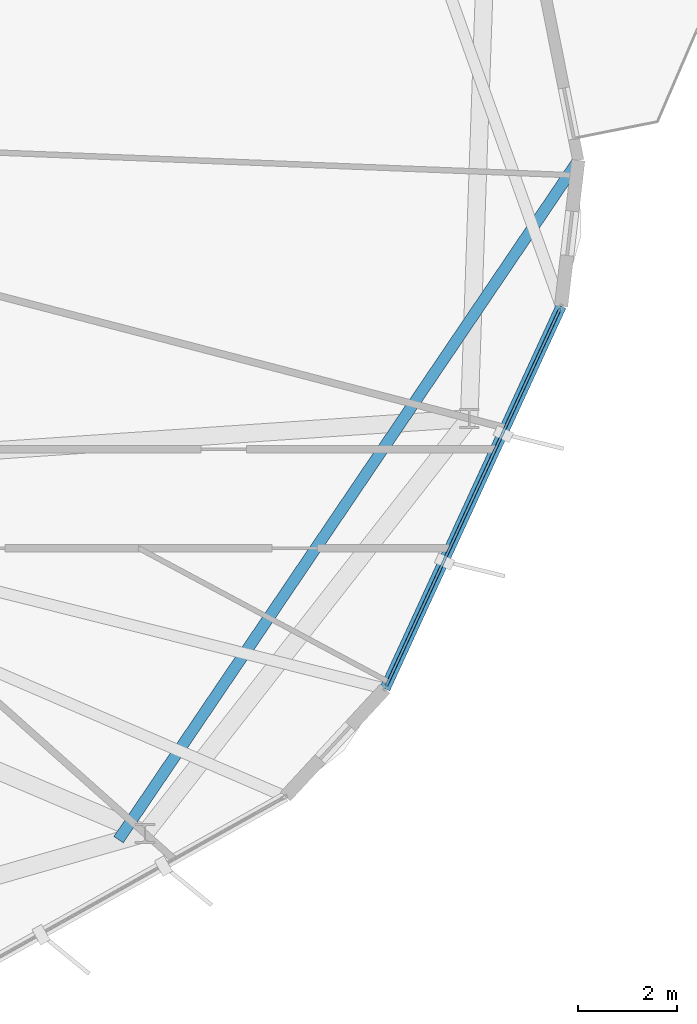
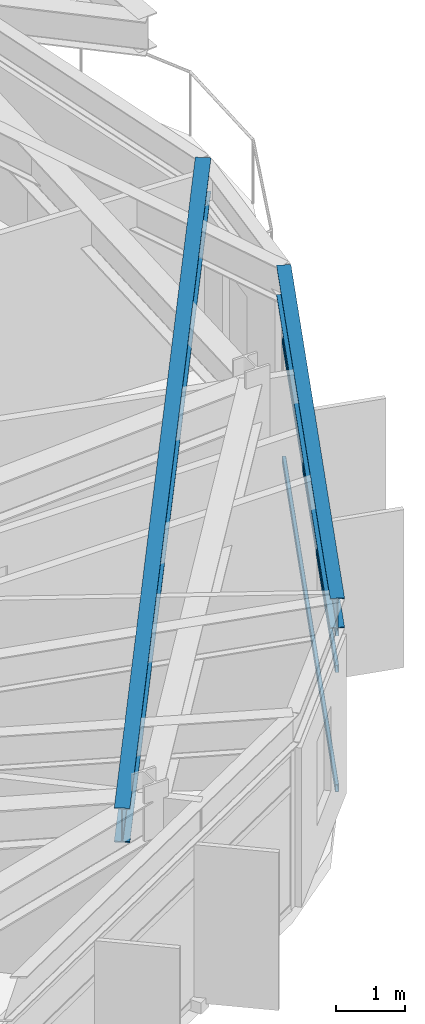
# One storey, part 10 of 25: 3 members, 2 beams, 1 element without a shape of its own.
"""IFC4 building model written with IfcOpenShell, lengths in metres."""

from ifc_helpers import new_model, si_unit, direction, frame, origin, origin_2d, place, context, subcontext, project, spatial, hollow_rectangle, i_section, extrude, material, layer, layer_set, material_profile, profile_set, type_object, element, aggregate, save


model = new_model("IFC4")

# Units and contexts
model_context = context("Model", 3, precision=1e-05, world=origin(), true_north=direction((0.0, 1.0)))
body_context = subcontext(model_context, "Body", "Model", "MODEL_VIEW")
ifc_project = project(units=[si_unit("LENGTHUNIT", "METRE"), si_unit("AREAUNIT", "SQUARE_METRE"), si_unit("VOLUMEUNIT", "CUBIC_METRE"), si_unit("PLANEANGLEUNIT", "RADIAN"), si_unit("MASSUNIT", "GRAM", prefix="KILO")], contexts=[model_context])

# Site, building, storey
site_placement = place(None, origin())
site = spatial("IfcSite", under=ifc_project, at=site_placement, CompositionType="ELEMENT")
building_placement = place(site_placement, origin())
building = spatial("IfcBuilding", under=site, at=building_placement, Name="Soratama Intermodal Tower", CompositionType="ELEMENT")
storey_placement = place(building_placement, frame((0.0, 0.0, 272.5)))
storey = spatial("IfcBuildingStorey", under=building, at=storey_placement, Name="L69", CompositionType="ELEMENT", Elevation=272.5)

# Beams
ifc_material_1 = material(Name="Structural steel ASTM A992 Grade 50", Category="steel")
ifc_material_profile_1 = material_profile(ifc_material_1, i_section(OverallWidth=0.2099609375, OverallDepth=0.537109375, WebThickness=0.010986328125, FlangeThickness=0.017333984375, FilletRadius=0.012939453125, at=origin_2d()), Name="W21X68")
ifc_profile_set_1 = profile_set([ifc_material_profile_1], Name="Structural steel ASTM A992 Grade 50")
beam_type_1 = type_object("IfcBeamType", Name="BM-SPN-W21X68", PredefinedType="SPANDREL", material=ifc_profile_set_1)
beam_1_placement = place(storey_placement, frame((59.464111328125, 13.662109375, 3.181396484375), z_axis=(0.418225614689, 0.908343181412, 0.0), x_axis=(-0.908343181412, 0.418225614689, 0.0)))
element("IfcBeam", 1, at=beam_1_placement, inside=storey, type_object=beam_type_1, Name="BS-L69-F08", PredefinedType="SPANDREL", context=body_context, shape_type="SweptSolid", body=[
    extrude(i_section(OverallWidth=0.2099609375, OverallDepth=0.537109375, WebThickness=0.010986328125, FlangeThickness=0.017333984375, FilletRadius=0.012939453125, at=origin_2d()), origin(), (0.0, 0.0, 1.0), 8.5),
])
ifc_material_2 = material(Name="Structural steel ASTM A992 Grade 50", Category="steel")
ifc_material_profile_2 = material_profile(ifc_material_2, i_section(OverallWidth=0.22900390625, OverallDepth=0.612060546875, WebThickness=0.011962890625, FlangeThickness=0.01953125, FilletRadius=0.012939453125, at=origin_2d()), Name="W24X84")
ifc_profile_set_2 = profile_set([ifc_material_profile_2], Name="Structural steel ASTM A992 Grade 50")
beam_type_2 = type_object("IfcBeamType", Name="BM-TIE-W24X84", PredefinedType="BEAM", material=ifc_profile_set_2)
beam_2_placement = place(storey_placement, frame((54.0830078125, 10.614013671875, 3.14404296875), z_axis=(0.56049347084, 0.828158842944, 0.0), x_axis=(-0.828158842944, 0.56049347084, 0.0)))
element("IfcBeam", 2, at=beam_2_placement, inside=storey, type_object=beam_type_2, Name="BM-L69-TIE0-09", PredefinedType="BEAM", context=body_context, shape_type="SweptSolid", body=[
    extrude(i_section(OverallWidth=0.22900390625, OverallDepth=0.612060546875, WebThickness=0.011962890625, FlangeThickness=0.01953125, FilletRadius=0.012939453125, at=origin_2d()), origin(), (0.0, 0.0, 1.0), 16.56201171875),
])

# Curtain wall, members
ifc_material_3 = material(Name="Double-glazed aluminium curtain wall", Category="aluminium")
ifc_layer = layer(ifc_material_3, 0.159912109375)
ifc_layer_set = layer_set([ifc_layer], Name="Double-glazed aluminium curtain wall")
curtain_wall_type = type_object("IfcCurtainWallType", Name="CW-SYS-5", PredefinedType="NOTDEFINED", material=ifc_layer_set)
curtain_wall_placement = place(storey_placement, origin())
curtain_wall = element("IfcCurtainWall", 3, at=curtain_wall_placement, inside=storey, type_object=curtain_wall_type, Name="L69 Faceted Curtain Wall F08", PredefinedType="NOTDEFINED")
ifc_material_4 = material(Name="Anodised aluminium AA 6063-T6", Category="aluminium")
ifc_material_profile_3 = material_profile(ifc_material_4, hollow_rectangle(XDim=0.06005859375, YDim=0.1298828125, WallThickness=0.0048828125, InnerFilletRadius=0.0048828125, OuterFilletRadius=0.010009765625, at=origin_2d()), Name="CWT130X60X5")
ifc_profile_set_3 = profile_set([ifc_material_profile_3], Name="Anodised aluminium AA 6063-T6")
member_type = type_object("IfcMemberType", Name="TT-CWT-2", PredefinedType="USERDEFINED", material=ifc_profile_set_3)
member_1_placement = place(storey_placement, frame((59.4892578125, 13.717041015625, 0.030029296875), z_axis=(0.418172988536, 0.90836741006, 0.0), x_axis=(-0.90836741006, 0.418172988536, 0.0)))
member_1 = element("IfcMember", 4, at=member_1_placement, type_object=member_type, Name="CW-5 transom 1.1", ObjectType="TRANSOM", PredefinedType="USERDEFINED", context=body_context, shape_type="SweptSolid", body=[
    extrude(hollow_rectangle(XDim=0.06005859375, YDim=0.1298828125, WallThickness=0.0048828125, InnerFilletRadius=0.0048828125, OuterFilletRadius=0.010009765625, at=origin_2d()), origin(), (0.0, 0.0, 1.0), 8.379638671875),
])
member_2_placement = place(storey_placement, frame((59.4892578125, 13.717041015625, 2.14990234375), z_axis=(0.418172988536, 0.90836741006, 0.0), x_axis=(-0.90836741006, 0.418172988536, 0.0)))
member_2 = element("IfcMember", 5, at=member_2_placement, type_object=member_type, Name="CW-5 transom 1.2", ObjectType="TRANSOM", PredefinedType="USERDEFINED", context=body_context, shape_type="SweptSolid", body=[
    extrude(hollow_rectangle(XDim=0.06005859375, YDim=0.1298828125, WallThickness=0.0048828125, InnerFilletRadius=0.0048828125, OuterFilletRadius=0.010009765625, at=origin_2d()), origin(), (0.0, 0.0, 1.0), 8.379638671875),
])
member_3_placement = place(storey_placement, frame((59.4892578125, 13.717041015625, 2.799072265625), z_axis=(0.418172988536, 0.90836741006, 0.0), x_axis=(-0.90836741006, 0.418172988536, 0.0)))
member_3 = element("IfcMember", 6, at=member_3_placement, type_object=member_type, Name="CW-5 transom 1.3", ObjectType="TRANSOM", PredefinedType="USERDEFINED", context=body_context, shape_type="SweptSolid", body=[
    extrude(hollow_rectangle(XDim=0.06005859375, YDim=0.1298828125, WallThickness=0.0048828125, InnerFilletRadius=0.0048828125, OuterFilletRadius=0.010009765625, at=origin_2d()), origin(), (0.0, 0.0, 1.0), 8.379638671875),
])
aggregate(curtain_wall, [member_1, member_2, member_3])

save(model, "model.ifc")
